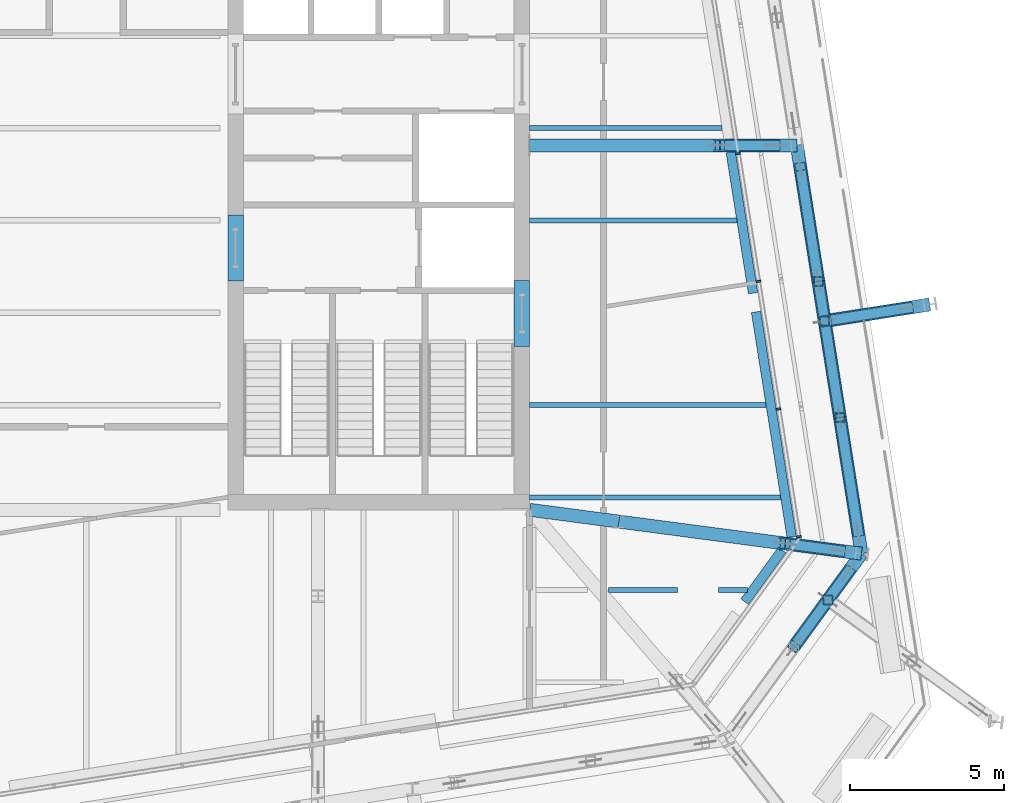
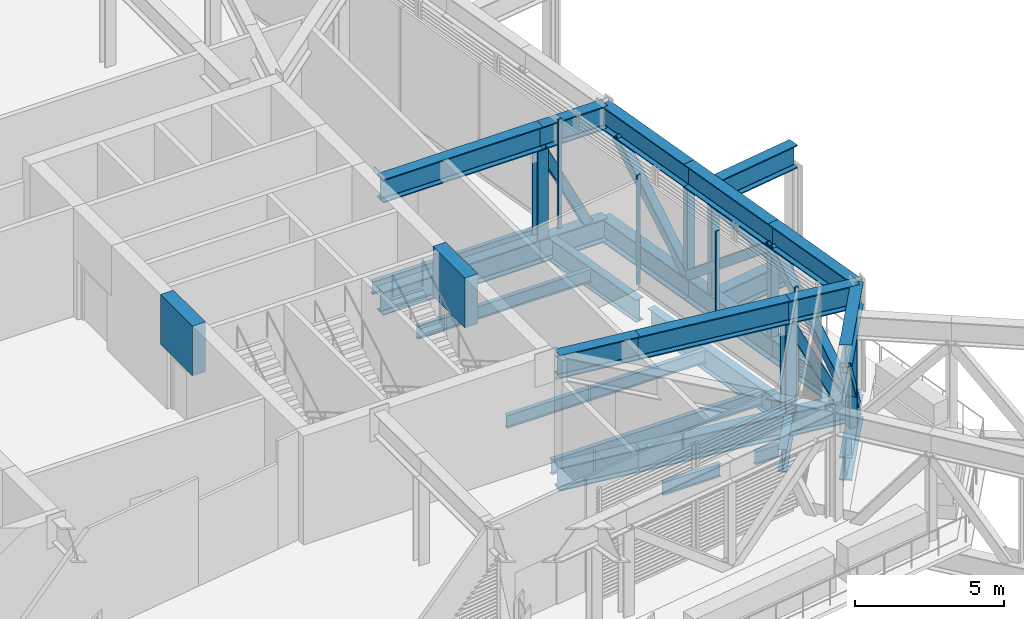
# One storey, part 10 of 35: 31 beams, 17 members, 1 element without a shape of its own.
"""IFC4 building model written with IfcOpenShell, lengths in metres."""

from ifc_helpers import new_model, si_unit, direction, frame, origin, origin_2d, place, context, subcontext, project, spatial, rectangle, hollow_rectangle, i_section, extrude, material, layer, layer_set, material_profile, profile_set, type_object, element, aggregate, save


model = new_model("IFC4")

# Units and contexts
model_context = context("Model", 3, precision=1e-05, world=origin(), true_north=direction((0.0, 1.0)))
body_context = subcontext(model_context, "Body", "Model", "MODEL_VIEW")
ifc_project = project(units=[si_unit("LENGTHUNIT", "METRE"), si_unit("AREAUNIT", "SQUARE_METRE"), si_unit("VOLUMEUNIT", "CUBIC_METRE"), si_unit("PLANEANGLEUNIT", "RADIAN"), si_unit("MASSUNIT", "GRAM", prefix="KILO")], contexts=[model_context])

# Site, building, storey
site_placement = place(None, origin())
site = spatial("IfcSite", under=ifc_project, at=site_placement, CompositionType="ELEMENT")
building_placement = place(site_placement, origin())
building = spatial("IfcBuilding", under=site, at=building_placement, Name="Millrace Tower", CompositionType="ELEMENT")
storey_placement = place(building_placement, frame((0.0, 0.0, 200.10009765625)))
storey = spatial("IfcBuildingStorey", under=building, at=storey_placement, Name="L45", CompositionType="ELEMENT", Elevation=200.10009765625)

# Curtain wall, members
ifc_material_1 = material(Name="Aluminium and glass", Category="aluminium")
ifc_layer = layer(ifc_material_1, 0.14990234375)
ifc_layer_set = layer_set([ifc_layer], Name="Aluminium and glass")
curtain_wall_type = type_object("IfcCurtainWallType", Name="CW-5 truss and plant storey louvred infill", PredefinedType="NOTDEFINED", material=ifc_layer_set)
curtain_wall_placement = place(storey_placement, origin())
curtain_wall = element("IfcCurtainWall", 1, at=curtain_wall_placement, inside=storey, type_object=curtain_wall_type, Name="Curtain wall D-F04 L45", PredefinedType="NOTDEFINED")
ifc_material_2 = material(Name="Aluminium", Category="aluminium")
ifc_material_profile_1 = material_profile(ifc_material_2, rectangle(XDim=0.06494140625, YDim=0.14990234375, at=origin_2d()))
ifc_profile_set_1 = profile_set([ifc_material_profile_1], Name="Aluminium")
member_type_1 = type_object("IfcMemberType", Name="CW-5 truss and plant storey louvred infill mullion", PredefinedType="MULLION", material=ifc_profile_set_1)
member_1_placement = place(storey_placement, frame((23.142333984375, -10.275390625, 0.139892578125), z_axis=(0.0, 0.0, 1.0), x_axis=(-0.156434471884, 0.987688339511, 0.0)))
member_1 = element("IfcMember", 2, at=member_1_placement, type_object=member_type_1, Name="CW5 mullion D-F04.1", PredefinedType="MULLION", context=body_context, shape_type="SweptSolid", body=[
    extrude(rectangle(XDim=0.06494140625, YDim=0.14990234375, at=origin_2d()), origin(), (0.0, 0.0, 1.0), 4.4599609375),
])
member_2_placement = place(storey_placement, frame((22.4853515625, -6.127197265625, 0.139892578125), z_axis=(0.0, 0.0, 1.0), x_axis=(-0.156434471884, 0.987688339511, 0.0)))
member_2 = element("IfcMember", 3, at=member_2_placement, type_object=member_type_1, Name="CW5 mullion D-F04.2", PredefinedType="MULLION", context=body_context, shape_type="SweptSolid", body=[
    extrude(rectangle(XDim=0.06494140625, YDim=0.14990234375, at=origin_2d()), origin(), (0.0, 0.0, 1.0), 4.4599609375),
])
member_3_placement = place(storey_placement, frame((21.828369140625, -1.97900390625, 0.139892578125), z_axis=(0.0, 0.0, 1.0), x_axis=(-0.156434471884, 0.987688339511, 0.0)))
member_3 = element("IfcMember", 4, at=member_3_placement, type_object=member_type_1, Name="CW5 mullion D-F04.3", PredefinedType="MULLION", context=body_context, shape_type="SweptSolid", body=[
    extrude(rectangle(XDim=0.06494140625, YDim=0.14990234375, at=origin_2d()), origin(), (0.0, 0.0, 1.0), 4.4599609375),
])
member_4_placement = place(storey_placement, frame((21.17138671875, 2.16943359375, 0.139892578125), z_axis=(0.0, 0.0, 1.0), x_axis=(-0.156434471884, 0.987688339511, 0.0)))
member_4 = element("IfcMember", 5, at=member_4_placement, type_object=member_type_1, Name="CW5 mullion D-F04.4", PredefinedType="MULLION", context=body_context, shape_type="SweptSolid", body=[
    extrude(rectangle(XDim=0.06494140625, YDim=0.14990234375, at=origin_2d()), origin(), (0.0, 0.0, 1.0), 4.4599609375),
])
aggregate(curtain_wall, [member_1, member_2, member_3, member_4])

# Beams
ifc_material_3 = material(Name="Concrete C60", Category="concrete")
ifc_material_profile_2 = material_profile(ifc_material_3, rectangle(XDim=0.5, YDim=2.0400390625, at=origin_2d()))
ifc_profile_set_2 = profile_set([ifc_material_profile_2], Name="Concrete C60")
beam_type_1 = type_object("IfcBeamType", Name="Coupling beam 500 x 2040 Concrete C60, 1300 opening", PredefinedType="BEAM", material=ifc_profile_set_2)
beam_1_placement = place(storey_placement, frame((14.14990234375, -1.958984375, 3.419921875), z_axis=(0.0, -1.0, 0.0), x_axis=(1.0, 0.0, 0.0)))
element("IfcBeam", 6, at=beam_1_placement, inside=storey, type_object=beam_type_1, Name="Coupling beam E L45", PredefinedType="BEAM", context=body_context, shape_type="SweptSolid", body=[
    extrude(rectangle(XDim=0.5, YDim=2.0400390625, at=origin_2d()), origin(), (0.0, 0.0, 1.0), 2.14208984375),
])
beam_2_placement = place(storey_placement, frame((4.85009765625, 0.1708984375, 3.419921875), z_axis=(0.0, -1.0, 0.0), x_axis=(1.0, 0.0, 0.0)))
element("IfcBeam", 7, at=beam_2_placement, inside=storey, type_object=beam_type_1, Name="Coupling beam E L45", PredefinedType="BEAM", context=body_context, shape_type="SweptSolid", body=[
    extrude(rectangle(XDim=0.5, YDim=2.0400390625, at=origin_2d()), origin(), (0.0, 0.0, 1.0), 2.141845703125),
])
ifc_material_4 = material(Name="Steel ASTM A992 Grade 50", Category="steel")
ifc_material_profile_3 = material_profile(ifc_material_4, i_section(OverallWidth=0.1650390625, OverallDepth=0.52587890625, WebThickness=0.0087890625, FlangeThickness=0.011474609375, FilletRadius=0.0126953125, at=origin_2d()))
ifc_profile_set_3 = profile_set([ifc_material_profile_3], Name="Steel ASTM A992 Grade 50")
beam_type_2 = type_object("IfcBeamType", Name="Floor beam W21x44", PredefinedType="JOIST", material=ifc_profile_set_3)
beam_3_placement = place(storey_placement, frame((14.39990234375, -6.0, -0.423095703125), z_axis=(1.0, 0.0, 0.0), x_axis=(0.0, 1.0, 0.0)))
element("IfcBeam", 8, at=beam_3_placement, inside=storey, type_object=beam_type_2, Name="BM-D-L45-S1-S010", PredefinedType="JOIST", context=body_context, shape_type="SweptSolid", body=[
    extrude(i_section(OverallWidth=0.1650390625, OverallDepth=0.52587890625, WebThickness=0.0087890625, FlangeThickness=0.011474609375, FilletRadius=0.0126953125, at=origin_2d()), origin(), (0.0, 0.0, 1.0), 7.67822265625),
])
beam_4_placement = place(storey_placement, frame((14.39990234375, 0.0, -0.423095703125), z_axis=(1.0, 0.0, 0.0), x_axis=(0.0, 1.0, 0.0)))
element("IfcBeam", 9, at=beam_4_placement, inside=storey, type_object=beam_type_2, Name="BM-D-L45-S1-S016", PredefinedType="JOIST", context=body_context, shape_type="SweptSolid", body=[
    extrude(i_section(OverallWidth=0.1650390625, OverallDepth=0.52587890625, WebThickness=0.0087890625, FlangeThickness=0.011474609375, FilletRadius=0.0126953125, at=origin_2d()), origin(), (0.0, 0.0, 1.0), 6.72802734375),
])
beam_5_placement = place(storey_placement, frame((14.39990234375, 3.0, -0.423095703125), z_axis=(1.0, 0.0, 0.0), x_axis=(0.0, 1.0, 0.0)))
element("IfcBeam", 10, at=beam_5_placement, inside=storey, type_object=beam_type_2, Name="BM-D-L45-S1-S019", PredefinedType="JOIST", context=body_context, shape_type="SweptSolid", body=[
    extrude(i_section(OverallWidth=0.1650390625, OverallDepth=0.52587890625, WebThickness=0.0087890625, FlangeThickness=0.011474609375, FilletRadius=0.0126953125, at=origin_2d()), origin(), (0.0, 0.0, 1.0), 6.252685546875),
])
beam_6_placement = place(storey_placement, frame((16.9658203125, -12.0, -0.423095703125), z_axis=(1.0, 0.0, 0.0), x_axis=(0.0, 1.0, 0.0)))
element("IfcBeam", 11, at=beam_6_placement, inside=storey, type_object=beam_type_2, Name="BM-D-L45-S1-S005-b-a", PredefinedType="JOIST", context=body_context, shape_type="SweptSolid", body=[
    extrude(i_section(OverallWidth=0.1650390625, OverallDepth=0.52587890625, WebThickness=0.0087890625, FlangeThickness=0.011474609375, FilletRadius=0.0126953125, at=origin_2d()), origin(), (0.0, 0.0, 1.0), 2.235595703125),
])
beam_7_placement = place(storey_placement, frame((20.531982421875, -12.0, -0.423095703125), z_axis=(1.0, 0.0, 0.0), x_axis=(0.0, 1.0, 0.0)))
element("IfcBeam", 12, at=beam_7_placement, inside=storey, type_object=beam_type_2, Name="BM-D-L45-S1-S005-b-b", PredefinedType="JOIST", context=body_context, shape_type="SweptSolid", body=[
    extrude(i_section(OverallWidth=0.1650390625, OverallDepth=0.52587890625, WebThickness=0.0087890625, FlangeThickness=0.011474609375, FilletRadius=0.0126953125, at=origin_2d()), origin(), (0.0, 0.0, 1.0), 0.9404296875),
])
ifc_material_5 = material(Name="Steel ASTM A992 Grade 50", Category="steel")
ifc_material_profile_4 = material_profile(ifc_material_5, i_section(OverallWidth=0.177978515625, OverallDepth=0.599365234375, WebThickness=0.010009765625, FlangeThickness=0.012939453125, FilletRadius=0.012939453125, at=origin_2d()))
ifc_profile_set_4 = profile_set([ifc_material_profile_4], Name="Steel ASTM A992 Grade 50")
beam_type_3 = type_object("IfcBeamType", Name="Floor beam W24x55", PredefinedType="JOIST", material=ifc_profile_set_4)
beam_8_placement = place(storey_placement, frame((14.39990234375, -9.0, -0.459716796875), z_axis=(1.0, 0.0, 0.0), x_axis=(0.0, 1.0, 0.0)))
element("IfcBeam", 13, at=beam_8_placement, inside=storey, type_object=beam_type_3, Name="BM-D-L45-S1-S007", PredefinedType="JOIST", context=body_context, shape_type="SweptSolid", body=[
    extrude(i_section(OverallWidth=0.177978515625, OverallDepth=0.599365234375, WebThickness=0.010009765625, FlangeThickness=0.012939453125, FilletRadius=0.012939453125, at=origin_2d()), origin(), (0.0, 0.0, 1.0), 8.1533203125),
])
ifc_material_6 = material(Name="Steel ASTM A992 Grade 50", Category="steel")
ifc_material_profile_5 = material_profile(ifc_material_6, i_section(OverallWidth=0.307373046875, OverallDepth=0.927001953125, WebThickness=0.01953125, FlangeThickness=0.031982421875, FilletRadius=0.01904296875, at=origin_2d()))
ifc_profile_set_5 = profile_set([ifc_material_profile_5], Name="Steel ASTM A992 Grade 50")
beam_type_4 = type_object("IfcBeamType", Name="Ring beam short span W36x194", PredefinedType="SPANDREL", material=ifc_profile_set_5)
beam_9_placement = place(storey_placement, frame((20.932373046875, 2.216064453125, -0.62353515625), z_axis=(0.15645455136, -0.987685159025, 0.0), x_axis=(0.987685159025, 0.15645455136, 0.0)))
element("IfcBeam", 14, at=beam_9_placement, inside=storey, type_object=beam_type_4, Name="RNG-D-L45-S1-11-a", PredefinedType="SPANDREL", context=body_context, shape_type="SweptSolid", body=[
    extrude(i_section(OverallWidth=0.307373046875, OverallDepth=0.927001953125, WebThickness=0.01953125, FlangeThickness=0.031982421875, FilletRadius=0.01904296875, at=origin_2d()), origin(), (0.0, 0.0, 1.0), 4.6376953125),
])
beam_10_placement = place(storey_placement, frame((21.754150390625, -2.97216796875, -0.62353515625), z_axis=(0.156426797403, -0.987689554999, 0.0), x_axis=(0.987689554999, 0.156426797403, 0.0)))
element("IfcBeam", 15, at=beam_10_placement, inside=storey, type_object=beam_type_4, Name="RNG-D-L45-S1-11-b", PredefinedType="SPANDREL", context=body_context, shape_type="SweptSolid", body=[
    extrude(i_section(OverallWidth=0.307373046875, OverallDepth=0.927001953125, WebThickness=0.01953125, FlangeThickness=0.031982421875, FilletRadius=0.01904296875, at=origin_2d()), origin(), (0.0, 0.0, 1.0), 7.3994140625),
])
beam_11_placement = place(storey_placement, frame((22.600830078125, -10.70849609375, -0.62353515625), z_axis=(-0.587800047933, -0.809006244507, 0.0), x_axis=(0.809006244507, -0.587800047933, 0.0)))
element("IfcBeam", 16, at=beam_11_placement, inside=storey, type_object=beam_type_4, Name="RNG-D-L45-S1-12-a", PredefinedType="SPANDREL", context=body_context, shape_type="SweptSolid", body=[
    extrude(i_section(OverallWidth=0.307373046875, OverallDepth=0.927001953125, WebThickness=0.01953125, FlangeThickness=0.031982421875, FilletRadius=0.01904296875, at=origin_2d()), origin(), (0.0, 0.0, 1.0), 2.070556640625),
])

# Members
ifc_material_7 = material(Name="Steel ASTM A992 Grade 50", Category="steel")
ifc_material_profile_6 = material_profile(ifc_material_7, i_section(OverallWidth=0.40380859375, OverallDepth=0.406494140625, WebThickness=0.027099609375, FlangeThickness=0.043701171875, FilletRadius=0.01513671875, at=origin_2d()))
ifc_profile_set_6 = profile_set([ifc_material_profile_6], Name="Steel ASTM A992 Grade 50")
member_type_2 = type_object("IfcMemberType", Name="Transfer truss Vierendeel moment post W14x233", PredefinedType="POST", material=ifc_profile_set_6)
for number, where, z_axis, x_axis, name in (
    (17, (22.699951171875, -10.4970703125, -0.16015625), (0.0, 0.0, 1.0), (1.0, 0.0, 0.0), "TRS-L45-C06-V01"),
    (18, (20.57763671875, 2.4384765625, -0.16015625), (0.0, 0.0, 1.0), (1.0, 0.0, 0.0), "TRS-L45-C07-V01"),
):
    element("IfcMember", number, at=place(storey_placement, frame(where, z_axis=z_axis, x_axis=x_axis)), inside=storey, type_object=member_type_2, Name=name, PredefinedType="POST", context=body_context, shape_type="SweptSolid", body=[
        extrude(i_section(OverallWidth=0.40380859375, OverallDepth=0.406494140625, WebThickness=0.027099609375, FlangeThickness=0.043701171875, FilletRadius=0.01513671875, at=origin_2d()), origin(), (0.0, 0.0, 1.0), 3.652587890625),
    ])

# Beams
ifc_material_8 = material(Name="Steel ASTM A992 Grade 50", Category="steel")
ifc_material_profile_7 = material_profile(ifc_material_8, i_section(OverallWidth=0.424072265625, OverallDepth=0.947509765625, WebThickness=0.02392578125, FlangeThickness=0.042724609375, FilletRadius=0.024169921875, at=origin_2d()))
ifc_profile_set_7 = profile_set([ifc_material_profile_7], Name="Steel ASTM A992 Grade 50")
beam_type_5 = type_object("IfcBeamType", Name="Transfer truss chord W36x302", PredefinedType="BEAM", material=ifc_profile_set_7)
for number, where, z_axis, x_axis, name in (
    (19, (22.9873046875, -13.84033203125, -0.6337890625), (0.587817260373, 0.808993738176, 0.0), (-0.808993738176, 0.587817260373, 0.0), "TRS-L45-R05-B02"),
    (20, (22.9873046875, -13.84033203125, 3.96630859375), (0.587817260373, 0.808993738176, 0.0), (-0.808993738176, 0.587817260373, 0.0), "TRS-L45-R05-T02"),
):
    element("IfcBeam", number, at=place(storey_placement, frame(where, z_axis=z_axis, x_axis=x_axis)), inside=storey, type_object=beam_type_5, Name=name, PredefinedType="BEAM", context=body_context, shape_type="SweptSolid", body=[
        extrude(i_section(OverallWidth=0.424072265625, OverallDepth=0.947509765625, WebThickness=0.02392578125, FlangeThickness=0.042724609375, FilletRadius=0.024169921875, at=origin_2d()), origin(), (0.0, 0.0, 1.0), 3.7275390625),
    ])
for number, where, z_axis, x_axis, name in (
    (21, (25.178466796875, -10.82470703125, -0.6337890625), (-0.156424684061, 0.9876898897, 0.0), (-0.9876898897, -0.156424684061, 0.0), "TRS-L45-R06-B01"),
    (22, (25.178466796875, -10.82470703125, 3.96630859375), (-0.156424684061, 0.9876898897, 0.0), (-0.9876898897, -0.156424684061, 0.0), "TRS-L45-R06-T01"),
):
    element("IfcBeam", number, at=place(storey_placement, frame(where, z_axis=z_axis, x_axis=x_axis)), inside=storey, type_object=beam_type_5, Name=name, PredefinedType="BEAM", context=body_context, shape_type="SweptSolid", body=[
        extrude(i_section(OverallWidth=0.424072265625, OverallDepth=0.947509765625, WebThickness=0.02392578125, FlangeThickness=0.042724609375, FilletRadius=0.024169921875, at=origin_2d()), origin(), (0.0, 0.0, 1.0), 4.476318359375),
    ])
for number, where, z_axis, x_axis, name in (
    (23, (24.478271484375, -6.403564453125, -0.6337890625), (-0.156433111103, 0.987688555037, 0.0), (-0.987688555037, -0.156433111103, 0.0), "TRS-L45-R06-B02"),
    (24, (24.478271484375, -6.403564453125, 3.96630859375), (-0.156433111103, 0.987688555037, 0.0), (-0.987688555037, -0.156433111103, 0.0), "TRS-L45-R06-T02"),
):
    element("IfcBeam", number, at=place(storey_placement, frame(where, z_axis=z_axis, x_axis=x_axis)), inside=storey, type_object=beam_type_5, Name=name, PredefinedType="BEAM", context=body_context, shape_type="SweptSolid", body=[
        extrude(i_section(OverallWidth=0.424072265625, OverallDepth=0.947509765625, WebThickness=0.02392578125, FlangeThickness=0.042724609375, FilletRadius=0.024169921875, at=origin_2d()), origin(), (0.0, 0.0, 1.0), 4.47607421875),
    ])
for number, where, z_axis, x_axis, name in (
    (25, (23.778076171875, -1.982666015625, -0.6337890625), (-0.156477890206, 0.987681461746, 0.0), (-0.987681461746, -0.156477890206, 0.0), "TRS-L45-R06-B03"),
    (26, (23.778076171875, -1.982666015625, 3.96630859375), (-0.156477890206, 0.987681461746, 0.0), (-0.987681461746, -0.156477890206, 0.0), "TRS-L45-R06-T03"),
):
    element("IfcBeam", number, at=place(storey_placement, frame(where, z_axis=z_axis, x_axis=x_axis)), inside=storey, type_object=beam_type_5, Name=name, PredefinedType="BEAM", context=body_context, shape_type="SweptSolid", body=[
        extrude(i_section(OverallWidth=0.424072265625, OverallDepth=0.947509765625, WebThickness=0.02392578125, FlangeThickness=0.042724609375, FilletRadius=0.024169921875, at=origin_2d()), origin(), (0.0, 0.0, 1.0), 4.476318359375),
    ])
for number, where, z_axis, x_axis, name in (
    (27, (25.178466796875, -10.82470703125, -0.6337890625), (-0.991375674634, 0.131050645721, 0.0), (-0.131050645721, -0.991375674634, 0.0), "TRS-L45-C06-B01"),
    (28, (25.178466796875, -10.82470703125, 3.96630859375), (-0.991375674634, 0.131050645721, 0.0), (-0.131050645721, -0.991375674634, 0.0), "TRS-L45-C06-T01"),
):
    element("IfcBeam", number, at=place(storey_placement, frame(where, z_axis=z_axis, x_axis=x_axis)), inside=storey, type_object=beam_type_5, Name=name, PredefinedType="BEAM", context=body_context, shape_type="SweptSolid", body=[
        extrude(i_section(OverallWidth=0.424072265625, OverallDepth=0.947509765625, WebThickness=0.02392578125, FlangeThickness=0.042724609375, FilletRadius=0.024169921875, at=origin_2d()), origin(), (0.0, 0.0, 1.0), 2.5),
    ])
for number, where, z_axis, x_axis, name in (
    (29, (22.699951171875, -10.4970703125, -0.6337890625), (-0.991378990099, 0.131025562357, 0.0), (-0.131025562357, -0.991378990099, 0.0), "TRS-L45-C06-B02"),
    (30, (22.699951171875, -10.4970703125, 3.96630859375), (-0.991378990099, 0.131025562357, 0.0), (-0.131025562357, -0.991378990099, 0.0), "TRS-L45-C06-T02"),
):
    element("IfcBeam", number, at=place(storey_placement, frame(where, z_axis=z_axis, x_axis=x_axis)), inside=storey, type_object=beam_type_5, Name=name, PredefinedType="BEAM", context=body_context, shape_type="SweptSolid", body=[
        extrude(i_section(OverallWidth=0.424072265625, OverallDepth=0.947509765625, WebThickness=0.02392578125, FlangeThickness=0.042724609375, FilletRadius=0.024169921875, at=origin_2d()), origin(), (0.0, 0.0, 1.0), 5.4521484375),
    ])
for number, where, z_axis, x_axis, name in (
    (31, (17.294921875, -9.78271484375, -0.6337890625), (-0.991370431245, 0.131090304958, 0.0), (-0.131090304958, -0.991370431245, 0.0), "TRS-L45-C06-B03"),
    (32, (17.294921875, -9.78271484375, 3.96630859375), (-0.991370431245, 0.131090304958, 0.0), (-0.131090304958, -0.991370431245, 0.0), "TRS-L45-C06-T03"),
):
    element("IfcBeam", number, at=place(storey_placement, frame(where, z_axis=z_axis, x_axis=x_axis)), inside=storey, type_object=beam_type_5, Name=name, PredefinedType="BEAM", context=body_context, shape_type="SweptSolid", body=[
        extrude(i_section(OverallWidth=0.424072265625, OverallDepth=0.947509765625, WebThickness=0.02392578125, FlangeThickness=0.042724609375, FilletRadius=0.024169921875, at=origin_2d()), origin(), (0.0, 0.0, 1.0), 2.920166015625),
    ])
for number, where, z_axis, x_axis, name in (
    (33, (23.07763671875, 2.4384765625, -0.6337890625), (-1.0, 0.0, 0.0), (0.0, -1.0, 0.0), "TRS-L45-C07-B01"),
    (34, (23.07763671875, 2.4384765625, 3.96630859375), (-1.0, 0.0, 0.0), (0.0, -1.0, 0.0), "TRS-L45-C07-T01"),
):
    element("IfcBeam", number, at=place(storey_placement, frame(where, z_axis=z_axis, x_axis=x_axis)), inside=storey, type_object=beam_type_5, Name=name, PredefinedType="BEAM", context=body_context, shape_type="SweptSolid", body=[
        extrude(i_section(OverallWidth=0.424072265625, OverallDepth=0.947509765625, WebThickness=0.02392578125, FlangeThickness=0.042724609375, FilletRadius=0.024169921875, at=origin_2d()), origin(), (0.0, 0.0, 1.0), 2.5),
    ])
for number, where, z_axis, x_axis, name in (
    (35, (20.57763671875, 2.4384765625, -0.6337890625), (-1.0, 0.0, 0.0), (0.0, -1.0, 0.0), "TRS-L45-C07-B02"),
    (36, (20.57763671875, 2.4384765625, 3.96630859375), (-1.0, 0.0, 0.0), (0.0, -1.0, 0.0), "TRS-L45-C07-T02"),
):
    element("IfcBeam", number, at=place(storey_placement, frame(where, z_axis=z_axis, x_axis=x_axis)), inside=storey, type_object=beam_type_5, Name=name, PredefinedType="BEAM", context=body_context, shape_type="SweptSolid", body=[
        extrude(i_section(OverallWidth=0.424072265625, OverallDepth=0.947509765625, WebThickness=0.02392578125, FlangeThickness=0.042724609375, FilletRadius=0.024169921875, at=origin_2d()), origin(), (0.0, 0.0, 1.0), 6.177734375),
    ])
for number, where, z_axis, x_axis, name in (
    (37, (27.39501953125, -2.7314453125, -0.6337890625), (-0.987690227507, -0.156422551083, 0.0), (0.156422551083, -0.987690227507, 0.0), "TRS-L45-B-C-X07-B01"),
    (38, (27.39501953125, -2.7314453125, 3.96630859375), (-0.987690227507, -0.156422551083, 0.0), (0.156422551083, -0.987690227507, 0.0), "TRS-L45-B-C-X07-T01"),
):
    element("IfcBeam", number, at=place(storey_placement, frame(where, z_axis=z_axis, x_axis=x_axis)), inside=storey, type_object=beam_type_5, Name=name, PredefinedType="BEAM", context=body_context, shape_type="SweptSolid", body=[
        extrude(i_section(OverallWidth=0.424072265625, OverallDepth=0.947509765625, WebThickness=0.02392578125, FlangeThickness=0.042724609375, FilletRadius=0.024169921875, at=origin_2d()), origin(), (0.0, 0.0, 1.0), 3.243408203125),
    ])

# Members
ifc_material_9 = material(Name="Steel ASTM A500 Grade C", Category="steel")
ifc_material_profile_8 = material_profile(ifc_material_9, hollow_rectangle(XDim=0.355712890625, YDim=0.355712890625, WallThickness=0.015869140625, InnerFilletRadius=0.008056640625, OuterFilletRadius=0.02392578125, at=origin_2d()))
ifc_profile_set_8 = profile_set([ifc_material_profile_8], Name="Steel ASTM A500 Grade C")
member_type_3 = type_object("IfcMemberType", Name="Transfer truss diagonal HSS14x14x5/8", PredefinedType="BRACE", material=ifc_profile_set_8)
member_5_placement = place(storey_placement, frame((24.766845703125, -11.390869140625, -0.16015625), z_axis=(-0.375093234456, -0.516299961764, 0.76989571693), x_axis=(0.809032377573, -0.587764078554, 0.0)))
element("IfcMember", 39, at=member_5_placement, inside=storey, type_object=member_type_3, Name="TRS-L45-R05-D02", PredefinedType="BRACE", context=body_context, shape_type="SweptSolid", body=[
    extrude(hollow_rectangle(XDim=0.355712890625, YDim=0.355712890625, WallThickness=0.015869140625, InnerFilletRadius=0.008056640625, OuterFilletRadius=0.02392578125, at=origin_2d()), origin(), (0.0, 0.0, 1.0), 4.744384765625),
])
member_6_placement = place(storey_placement, frame((25.06884765625, -10.13330078125, -0.16015625), z_axis=(-0.112411989442, 0.709928880818, 0.695244222421), x_axis=(-0.987694723912, -0.156394157043, 0.0)))
element("IfcMember", 40, at=member_6_placement, inside=storey, type_object=member_type_3, Name="TRS-L45-R06-D01", PredefinedType="BRACE", context=body_context, shape_type="SweptSolid", body=[
    extrude(hollow_rectangle(XDim=0.355712890625, YDim=0.355712890625, WallThickness=0.015869140625, InnerFilletRadius=0.008056640625, OuterFilletRadius=0.02392578125, at=origin_2d()), origin(), (0.0, 0.0, 1.0), 5.253662109375),
])
member_7_placement = place(storey_placement, frame((23.778076171875, -1.982666015625, -0.16015625), z_axis=(0.121199815738, -0.765232309408, 0.632242135026), x_axis=(0.987688555037, 0.156433111103, 0.0)))
element("IfcMember", 41, at=member_7_placement, inside=storey, type_object=member_type_3, Name="TRS-L45-R06-D02", PredefinedType="BRACE", context=body_context, shape_type="SweptSolid", body=[
    extrude(hollow_rectangle(XDim=0.355712890625, YDim=0.355712890625, WallThickness=0.015869140625, InnerFilletRadius=0.008056640625, OuterFilletRadius=0.02392578125, at=origin_2d()), origin(), (0.0, 0.0, 1.0), 5.777099609375),
])
member_8_placement = place(storey_placement, frame((23.778076171875, -1.982666015625, -0.16015625), z_axis=(-0.112457872298, 0.70992517153, 0.695240589858), x_axis=(-0.987684735163, -0.156457227145, 0.0)))
element("IfcMember", 42, at=member_8_placement, inside=storey, type_object=member_type_3, Name="TRS-L45-R06-D03", PredefinedType="BRACE", context=body_context, shape_type="SweptSolid", body=[
    extrude(hollow_rectangle(XDim=0.355712890625, YDim=0.355712890625, WallThickness=0.015869140625, InnerFilletRadius=0.008056640625, OuterFilletRadius=0.02392578125, at=origin_2d()), origin(), (0.0, 0.0, 1.0), 5.253662109375),
])
for number, where, z_axis, x_axis, name in (
    (43, (24.484375, -10.73291015625, -0.16015625), (-0.438217991099, 0.057917441429, 0.897000870822), (-0.131026405364, -0.991378878682, 0.0), "TRS-L45-C06-D01"),
    (44, (22.377685546875, 2.4384765625, -0.16015625), (-0.442050013477, 0.0, 0.896990404399), (0.0, -1.0, 0.0), "TRS-L45-C07-D01"),
):
    element("IfcMember", number, at=place(storey_placement, frame(where, z_axis=z_axis, x_axis=x_axis)), inside=storey, type_object=member_type_3, Name=name, PredefinedType="BRACE", context=body_context, shape_type="SweptSolid", body=[
        extrude(hollow_rectangle(XDim=0.355712890625, YDim=0.355712890625, WallThickness=0.015869140625, InnerFilletRadius=0.008056640625, OuterFilletRadius=0.02392578125, at=origin_2d()), origin(), (0.0, 0.0, 1.0), 4.072021484375),
    ])
member_9_placement = place(storey_placement, frame((26.70361328125, -2.841064453125, -0.16015625), z_axis=(-0.594811410838, -0.094181586089, 0.798329013865), x_axis=(0.156390264253, -0.987695340298, 0.0)))
element("IfcMember", 45, at=member_9_placement, inside=storey, type_object=member_type_3, Name="TRS-L45-B-C-X07-D01", PredefinedType="BRACE", context=body_context, shape_type="SweptSolid", body=[
    extrude(hollow_rectangle(XDim=0.355712890625, YDim=0.355712890625, WallThickness=0.015869140625, InnerFilletRadius=0.008056640625, OuterFilletRadius=0.02392578125, at=origin_2d()), origin(), (0.0, 0.0, 1.0), 4.5751953125),
])
ifc_material_10 = material(Name="Steel ASTM A500 Grade C", Category="steel")
ifc_material_profile_9 = material_profile(ifc_material_10, hollow_rectangle(XDim=0.3046875, YDim=0.3046875, WallThickness=0.0126953125, InnerFilletRadius=0.00634765625, OuterFilletRadius=0.01904296875, at=origin_2d()))
ifc_profile_set_9 = profile_set([ifc_material_profile_9], Name="Steel ASTM A500 Grade C")
member_type_4 = type_object("IfcMemberType", Name="Transfer truss post HSS12x12x1/2", PredefinedType="POST", material=ifc_profile_set_9)
for number, where, z_axis, x_axis, name in (
    (46, (24.478271484375, -6.403564453125, -0.16015625), (0.0, 0.0, 1.0), (1.0, 0.0, 0.0), "TRS-L45-R06-V01"),
    (47, (23.778076171875, -1.982666015625, -0.16015625), (0.0, 0.0, 1.0), (1.0, 0.0, 0.0), "TRS-L45-R06-V02"),
    (48, (24.0869140625, -12.3271484375, -0.16015625), (0.0, 0.0, 1.0), (1.0, 0.0, 0.0), "TRS-L45-B-C-X06-V02"),
    (49, (23.982177734375, -3.27197265625, -0.16015625), (0.0, 0.0, 1.0), (1.0, 0.0, 0.0), "TRS-L45-B-C-X07-V01"),
):
    element("IfcMember", number, at=place(storey_placement, frame(where, z_axis=z_axis, x_axis=x_axis)), inside=storey, type_object=member_type_4, Name=name, PredefinedType="POST", context=body_context, shape_type="SweptSolid", body=[
        extrude(hollow_rectangle(XDim=0.3046875, YDim=0.3046875, WallThickness=0.0126953125, InnerFilletRadius=0.00634765625, OuterFilletRadius=0.01904296875, at=origin_2d()), origin(), (0.0, 0.0, 1.0), 3.652587890625),
    ])

save(model, "model.ifc")
